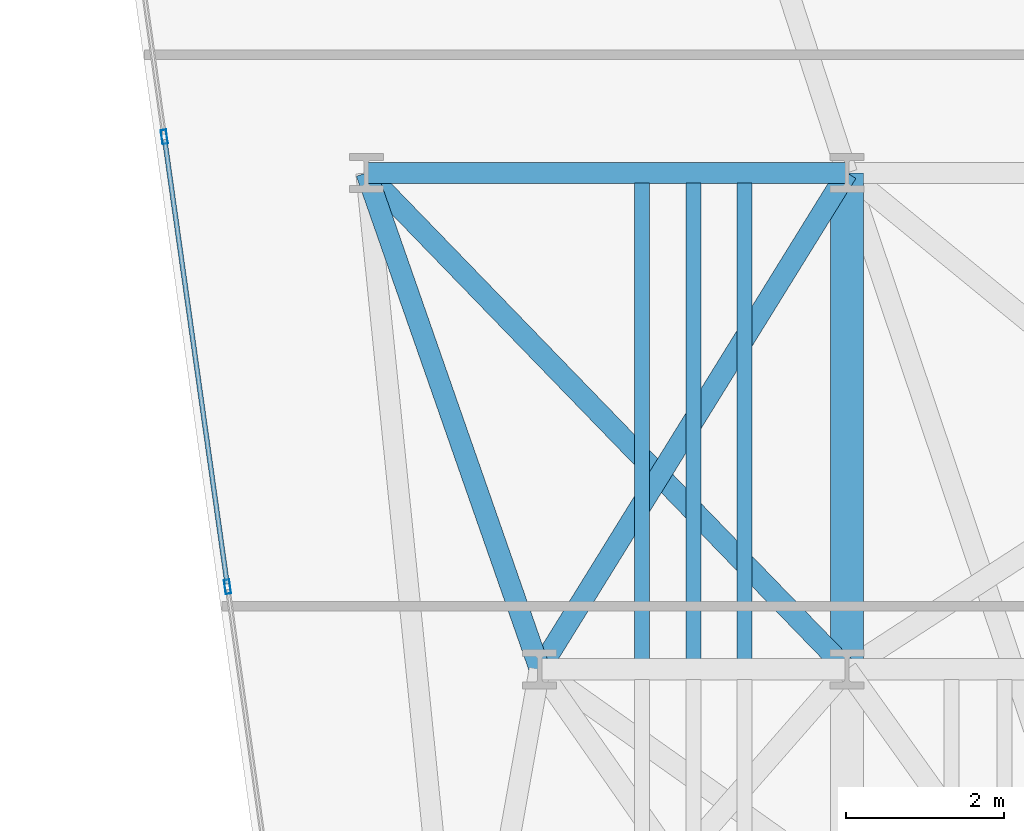
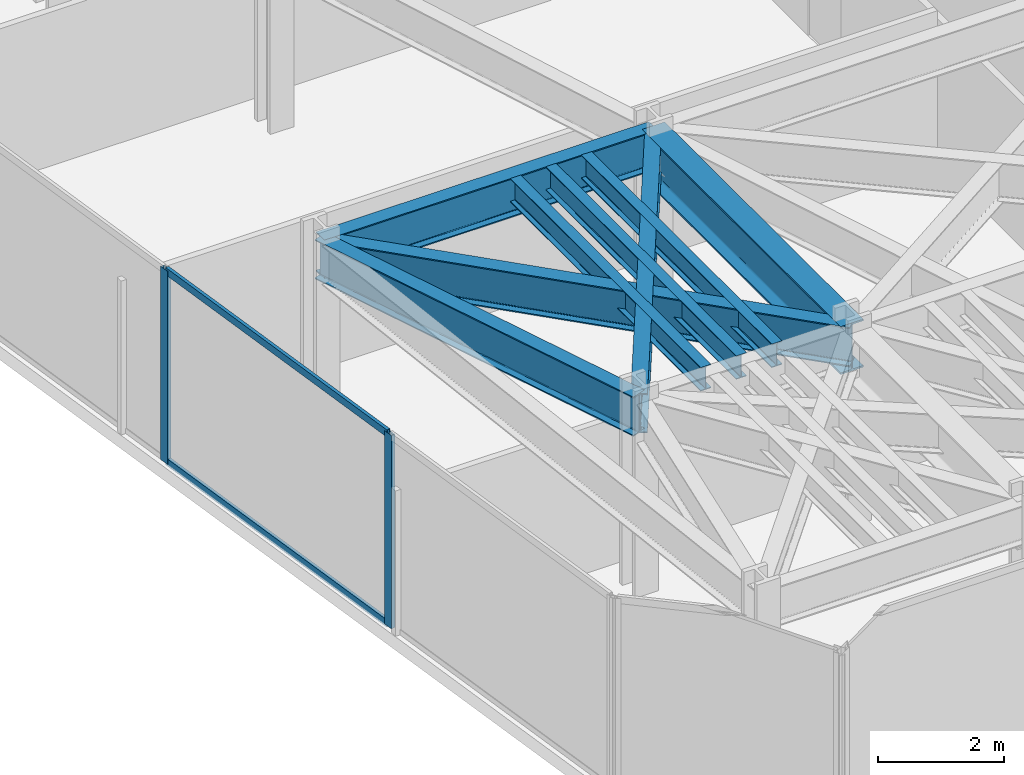
# One storey, part 4 of 25: 8 beams, 4 members, 1 element without a shape of its own.
"""IFC4 building model written with IfcOpenShell, lengths in metres."""

from ifc_helpers import new_model, si_unit, direction, frame, origin, origin_2d, place, context, subcontext, project, spatial, hollow_rectangle, i_section, extrude, material, layer, layer_set, material_profile, profile_set, type_object, element, aggregate, save


model = new_model("IFC4")

# Units and contexts
model_context = context("Model", 3, precision=1e-05, world=origin(), true_north=direction((0.0, 1.0)))
body_context = subcontext(model_context, "Body", "Model", "MODEL_VIEW")
ifc_project = project(units=[si_unit("LENGTHUNIT", "METRE"), si_unit("AREAUNIT", "SQUARE_METRE"), si_unit("VOLUMEUNIT", "CUBIC_METRE"), si_unit("PLANEANGLEUNIT", "RADIAN"), si_unit("MASSUNIT", "GRAM", prefix="KILO")], contexts=[model_context])

# Site, building, storey
site_placement = place(None, origin())
site = spatial("IfcSite", under=ifc_project, at=site_placement, CompositionType="ELEMENT")
building_placement = place(site_placement, origin())
building = spatial("IfcBuilding", under=site, at=building_placement, Name="Kravanh Interchange Tower", CompositionType="ELEMENT")
storey_placement = place(building_placement, frame((0.0, 0.0, 65.5)))
storey = spatial("IfcBuildingStorey", under=building, at=storey_placement, Name="L15", CompositionType="ELEMENT", Elevation=65.5)

# Curtain wall, members
ifc_material_1 = material(Name="Anodised Bronze Aluminium", Category="aluminium")
ifc_layer = layer(ifc_material_1, 0.179931640625)
ifc_layer_set = layer_set([ifc_layer], Name="Unitised Curtain Wall System CW-Z1 Lower Office")
curtain_wall_type = type_object("IfcCurtainWallType", Name="Unitised Curtain Wall System CW-Z1 Lower Office", PredefinedType="NOTDEFINED", material=ifc_layer_set)
curtain_wall_placement = place(storey_placement, origin())
curtain_wall = element("IfcCurtainWall", 1, at=curtain_wall_placement, inside=storey, type_object=curtain_wall_type, Name="L15 Unitised Curtain Wall CW-L15-01", PredefinedType="NOTDEFINED")
ifc_material_2 = material(Name="Anodised Bronze Aluminium", Category="aluminium")
ifc_material_profile_1 = material_profile(ifc_material_2, hollow_rectangle(XDim=0.070068359375, YDim=0.179931640625, WallThickness=0.00390625, at=origin_2d()), Name="ALU70X180X4")
ifc_profile_set_1 = profile_set([ifc_material_profile_1], Name="Anodised Bronze Aluminium")
member_type_1 = type_object("IfcMemberType", Name="Curtain Wall Mullion ALU70X180X4 Bronze", PredefinedType="MULLION", material=ifc_profile_set_1)
member_1_placement = place(storey_placement, frame((9.6376953125, 9.247314453125, 0.0), z_axis=(0.0, 0.0, 1.0), x_axis=(-0.990267585682, -0.139176538065, 0.0)))
member_1 = element("IfcMember", 2, at=member_1_placement, type_object=member_type_1, Name="CW-Z1 mullion 2", PredefinedType="MULLION", context=body_context, shape_type="SweptSolid", body=[
    extrude(hollow_rectangle(XDim=0.070068359375, YDim=0.179931640625, WallThickness=0.00390625, at=origin_2d()), origin(), (0.0, 0.0, 1.0), 3.739990234375),
])
member_2_placement = place(storey_placement, frame((8.835205078125, 14.957763671875, 0.0), z_axis=(0.0, 0.0, 1.0), x_axis=(-0.990267585682, -0.139176538065, 0.0)))
member_2 = element("IfcMember", 3, at=member_2_placement, type_object=member_type_1, Name="CW-Z1 mullion 3", PredefinedType="MULLION", context=body_context, shape_type="SweptSolid", body=[
    extrude(hollow_rectangle(XDim=0.070068359375, YDim=0.179931640625, WallThickness=0.00390625, at=origin_2d()), origin(), (0.0, 0.0, 1.0), 3.739990234375),
])
ifc_material_3 = material(Name="Anodised Bronze Aluminium", Category="aluminium")
ifc_material_profile_2 = material_profile(ifc_material_3, hollow_rectangle(XDim=0.06005859375, YDim=0.139892578125, WallThickness=0.00390625, at=origin_2d()), Name="ALU60X140X4")
ifc_profile_set_2 = profile_set([ifc_material_profile_2], Name="Anodised Bronze Aluminium")
member_type_2 = type_object("IfcMemberType", Name="Curtain Wall Transom ALU60X140X4 Bronze", PredefinedType="USERDEFINED", material=ifc_profile_set_2)
member_3_placement = place(storey_placement, frame((9.633056640625, 9.281982421875, 0.030029296875), z_axis=(-0.139200984921, 0.990264149506, 0.0), x_axis=(-0.990264149506, -0.139200984921, 0.0)))
member_3 = element("IfcMember", 4, at=member_3_placement, type_object=member_type_2, Name="CW-Z1 transom 2.1", ObjectType="TRANSOM", PredefinedType="USERDEFINED", context=body_context, shape_type="SweptSolid", body=[
    extrude(hollow_rectangle(XDim=0.06005859375, YDim=0.139892578125, WallThickness=0.00390625, at=origin_2d()), origin(), (0.0, 0.0, 1.0), 5.696533203125),
])
member_4_placement = place(storey_placement, frame((9.633056640625, 9.281982421875, 3.7099609375), z_axis=(-0.139200984921, 0.990264149506, 0.0), x_axis=(-0.990264149506, -0.139200984921, 0.0)))
member_4 = element("IfcMember", 5, at=member_4_placement, type_object=member_type_2, Name="CW-Z1 transom 2.2", ObjectType="TRANSOM", PredefinedType="USERDEFINED", context=body_context, shape_type="SweptSolid", body=[
    extrude(hollow_rectangle(XDim=0.06005859375, YDim=0.139892578125, WallThickness=0.00390625, at=origin_2d()), origin(), (0.0, 0.0, 1.0), 5.696533203125),
])
aggregate(curtain_wall, [member_1, member_2, member_3, member_4])

# Beams
ifc_material_4 = material(Name="Structural Steel S355", Category="steel")
ifc_material_profile_3 = material_profile(ifc_material_4, i_section(OverallWidth=0.41796875, OverallDepth=0.927001953125, WebThickness=0.019287109375, FlangeThickness=0.031982421875, FilletRadius=0.028076171875, at=origin_2d()), Name="W36X231")
ifc_profile_set_3 = profile_set([ifc_material_profile_3], Name="Structural Steel S355")
beam_type_1 = type_object("IfcBeamType", Name="Floor Beam W36X231 Structural Steel S355", PredefinedType="BEAM", material=ifc_profile_set_3)
beam_1_placement = place(storey_placement, frame((17.5, 8.199951171875, 3.276611328125), z_axis=(0.0, 1.0, 0.0), x_axis=(-1.0, 0.0, 0.0)))
element("IfcBeam", 6, at=beam_1_placement, inside=storey, type_object=beam_type_1, Name="L15 Primary Floor Girder 136", PredefinedType="BEAM", context=body_context, shape_type="SweptSolid", body=[
    extrude(i_section(OverallWidth=0.41796875, OverallDepth=0.927001953125, WebThickness=0.019287109375, FlangeThickness=0.031982421875, FilletRadius=0.028076171875, at=origin_2d()), origin(), (0.0, 0.0, 1.0), 6.300048828125),
])
ifc_material_5 = material(Name="Structural Steel S355", Category="steel")
ifc_material_profile_4 = material_profile(ifc_material_5, i_section(OverallWidth=0.18994140625, OverallDepth=0.45703125, WebThickness=0.009033203125, FlangeThickness=0.014404296875, FilletRadius=0.01806640625, at=origin_2d()), Name="W18X50")
ifc_profile_set_4 = profile_set([ifc_material_profile_4], Name="Structural Steel S355")
beam_type_2 = type_object("IfcBeamType", Name="Floor Joist W18X50 Structural Steel S355", PredefinedType="JOIST", material=ifc_profile_set_4)
for number, where, z_axis, x_axis, name in (
    (7, (14.89990234375, 8.32861328125, 3.511474609375), (0.0, 1.0, 0.0), (-1.0, 0.0, 0.0), "L15 Secondary Floor Joist 10"),
    (8, (15.550048828125, 8.32861328125, 3.511474609375), (0.0, 1.0, 0.0), (-1.0, 0.0, 0.0), "L15 Secondary Floor Joist 11"),
    (9, (16.199951171875, 8.32861328125, 3.511474609375), (0.0, 1.0, 0.0), (-1.0, 0.0, 0.0), "L15 Secondary Floor Joist 12"),
):
    element("IfcBeam", number, at=place(storey_placement, frame(where, z_axis=z_axis, x_axis=x_axis)), inside=storey, type_object=beam_type_2, Name=name, PredefinedType="JOIST", context=body_context, shape_type="SweptSolid", body=[
        extrude(i_section(OverallWidth=0.18994140625, OverallDepth=0.45703125, WebThickness=0.009033203125, FlangeThickness=0.014404296875, FilletRadius=0.01806640625, at=origin_2d()), origin(), (0.0, 0.0, 1.0), 6.04296875),
    ])
ifc_material_6 = material(Name="Structural Steel S355", Category="steel")
ifc_material_profile_5 = material_profile(ifc_material_6, i_section(OverallWidth=0.26708984375, OverallDepth=0.761962890625, WebThickness=0.014404296875, FlangeThickness=0.021484375, FilletRadius=0.02490234375, at=origin_2d()), Name="W30X116")
ifc_profile_set_5 = profile_set([ifc_material_profile_5], Name="Structural Steel S355")
beam_type_3 = type_object("IfcBeamType", Name="Floor Spandrel W30X116 Structural Steel S355", PredefinedType="SPANDREL", material=ifc_profile_set_5)
beam_2_placement = place(storey_placement, frame((13.60009765625, 8.199951171875, 3.35888671875), z_axis=(-0.329706642337, 0.944083433812, 0.0), x_axis=(-0.944083433812, -0.329706642337, 0.0)))
element("IfcBeam", 10, at=beam_2_placement, inside=storey, type_object=beam_type_3, Name="L15 Perimeter Spandrel 134", PredefinedType="SPANDREL", context=body_context, shape_type="SweptSolid", body=[
    extrude(i_section(OverallWidth=0.26708984375, OverallDepth=0.761962890625, WebThickness=0.014404296875, FlangeThickness=0.021484375, FilletRadius=0.02490234375, at=origin_2d()), origin(), (0.0, 0.0, 1.0), 6.673095703125),
])
beam_3_placement = place(storey_placement, frame((13.60009765625, 8.199951171875, 3.35888671875), z_axis=(0.5263421368, 0.850272870923, 0.0), x_axis=(-0.850272870923, 0.5263421368, 0.0)))
element("IfcBeam", 11, at=beam_3_placement, inside=storey, type_object=beam_type_3, Name="L15 Perimeter Spandrel 135", PredefinedType="SPANDREL", context=body_context, shape_type="SweptSolid", body=[
    extrude(i_section(OverallWidth=0.26708984375, OverallDepth=0.761962890625, WebThickness=0.014404296875, FlangeThickness=0.021484375, FilletRadius=0.02490234375, at=origin_2d()), origin(), (0.0, 0.0, 1.0), 7.409423828125),
])
beam_4_placement = place(storey_placement, frame((17.5, 8.199951171875, 3.35888671875), z_axis=(-0.695614323867, 0.718415417729, 0.0), x_axis=(-0.718415417729, -0.695614323867, 0.0)))
element("IfcBeam", 12, at=beam_4_placement, inside=storey, type_object=beam_type_3, Name="L15 Perimeter Spandrel 138", PredefinedType="SPANDREL", context=body_context, shape_type="SweptSolid", body=[
    extrude(i_section(OverallWidth=0.26708984375, OverallDepth=0.761962890625, WebThickness=0.014404296875, FlangeThickness=0.021484375, FilletRadius=0.02490234375, at=origin_2d()), origin(), (0.0, 0.0, 1.0), 8.769287109375),
])
beam_5_placement = place(storey_placement, frame((11.39990234375, 14.5, 3.35888671875), z_axis=(1.0, 0.0, 0.0), x_axis=(0.0, 1.0, 0.0)))
element("IfcBeam", 13, at=beam_5_placement, inside=storey, type_object=beam_type_3, Name="L15 Perimeter Spandrel 143", PredefinedType="SPANDREL", context=body_context, shape_type="SweptSolid", body=[
    extrude(i_section(OverallWidth=0.26708984375, OverallDepth=0.761962890625, WebThickness=0.014404296875, FlangeThickness=0.021484375, FilletRadius=0.02490234375, at=origin_2d()), origin(), (0.0, 0.0, 1.0), 6.10009765625),
])

save(model, "model.ifc")
